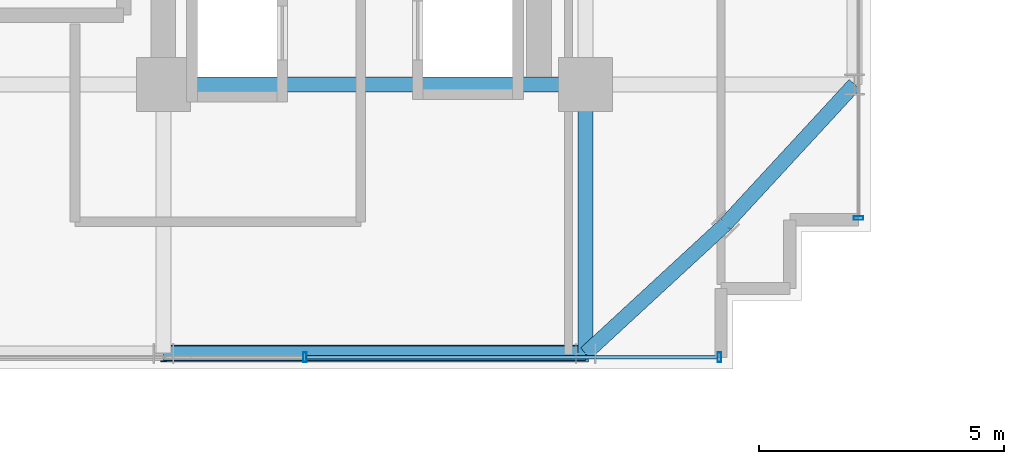
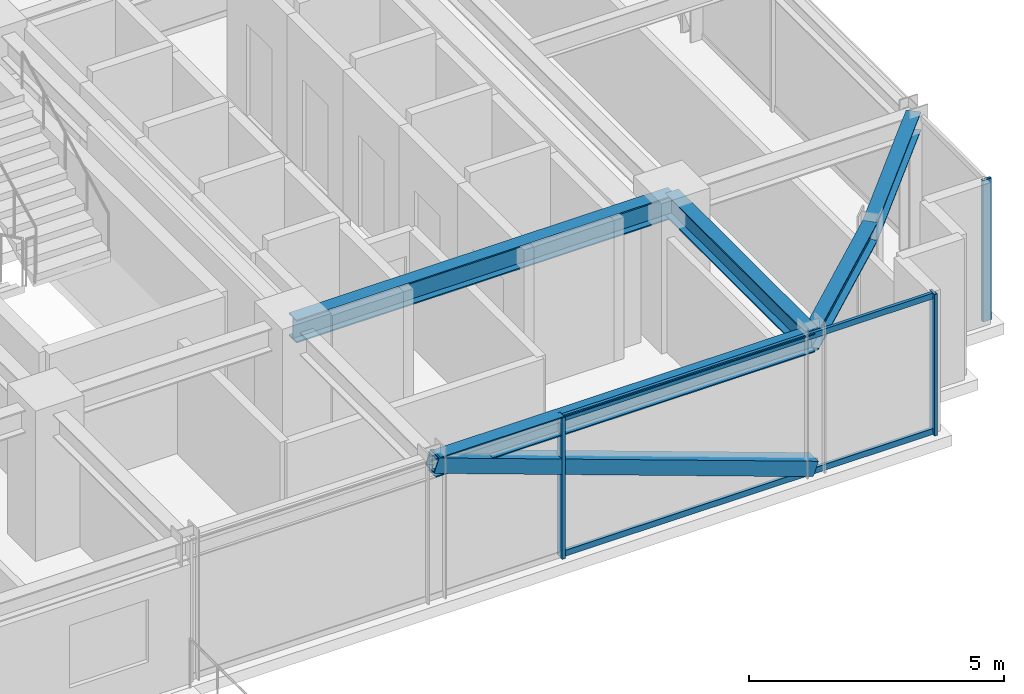
# One storey, part 13 of 38: 6 members, 5 beams, 2 elements without a shape of their own.
"""IFC4 building model written with IfcOpenShell, lengths in metres."""

from ifc_helpers import new_model, si_unit, direction, frame, origin, origin_2d, place, context, subcontext, project, spatial, hollow_rectangle, i_section, extrude, source, transform, mapped, material, material_profile, profile_set, type_object, element, aggregate, save


model = new_model("IFC4")

# Units and contexts
model_context = context("Model", 3, precision=1e-05, world=origin(), true_north=direction((0.0, 1.0)))
body_context = subcontext(model_context, "Body", "Model", "MODEL_VIEW")
ifc_project = project(units=[si_unit("LENGTHUNIT", "METRE"), si_unit("AREAUNIT", "SQUARE_METRE"), si_unit("VOLUMEUNIT", "CUBIC_METRE"), si_unit("PLANEANGLEUNIT", "RADIAN"), si_unit("MASSUNIT", "GRAM", prefix="KILO")], contexts=[model_context])

# Site, building, storey
site_placement = place(None, origin())
site = spatial("IfcSite", under=ifc_project, at=site_placement, CompositionType="ELEMENT")
building_placement = place(site_placement, origin())
building = spatial("IfcBuilding", under=site, at=building_placement, Name="Nahalor Promenade Grand Hotel", CompositionType="ELEMENT")
storey_placement = place(building_placement, frame((0.0, 0.0, 163.60009765625)))
storey = spatial("IfcBuildingStorey", under=building, at=storey_placement, Name="L41", CompositionType="ELEMENT", Elevation=163.60009765625)

# Beams
ifc_material_1 = material(Name="Steel S355JR", Category="steel")
ifc_material_profile_1 = material_profile(ifc_material_1, i_section(OverallWidth=0.3, OverallDepth=0.55, WebThickness=0.015, FlangeThickness=0.029, at=origin_2d()), Name="HEB 550")
ifc_profile_set_1 = profile_set([ifc_material_profile_1], Name="Steel S355JR")
beam_type_1 = type_object("IfcBeamType", Name="Beam-Girder-HEB550", PredefinedType="BEAM", material=ifc_profile_set_1)
shared_shape_1 = source(origin(), body_context, "Body", "SweptSolid", [
    extrude(i_section(OverallWidth=0.3, OverallDepth=0.55, WebThickness=0.015, FlangeThickness=0.029, at=origin_2d()), origin(), (0.0, 0.0, 1.0), 8.60009765625),
])
beam_1_placement = place(storey_placement, frame((8.39990234375, -17.0, 3.114990234375), z_axis=(1.0, 0.0, 0.0), x_axis=(0.0, 1.0, 0.0)))
element("IfcBeam", 1, at=beam_1_placement, inside=storey, type_object=beam_type_1, Name="BM-L41-GX-0-5", PredefinedType="BEAM", context=body_context, shape_type="MappedRepresentation", body=[
    mapped(shared_shape_1, transform((0.0, 0.0, 0.0), scale=1.0)),
])
shared_shape_2 = source(origin(), body_context, "Body", "SweptSolid", [
    extrude(i_section(OverallWidth=0.3, OverallDepth=0.55, WebThickness=0.015, FlangeThickness=0.029, at=origin_2d()), origin(), (0.0, 0.0, 1.0), 5.47998046875),
])
beam_2_placement = place(storey_placement, frame((17.0, -22.47998046875, 3.114990234375), z_axis=(0.0, 1.0, 0.0), x_axis=(-1.0, 0.0, 0.0)))
element("IfcBeam", 2, at=beam_2_placement, inside=storey, type_object=beam_type_1, Name="BM-L41-GY-5-0", PredefinedType="BEAM", context=body_context, shape_type="MappedRepresentation", body=[
    mapped(shared_shape_2, transform((0.0, 0.0, 0.0), scale=1.0)),
])
ifc_material_profile_2 = material_profile(ifc_material_1, i_section(OverallWidth=0.3, OverallDepth=0.45, WebThickness=0.014, FlangeThickness=0.026, at=origin_2d()), Name="HEB 450")
ifc_profile_set_2 = profile_set([ifc_material_profile_2], Name="Steel S355JR")
beam_type_2 = type_object("IfcBeamType", Name="Beam-Spandrel-HEB450", PredefinedType="SPANDREL", material=ifc_profile_set_2)
shared_shape_3 = source(origin(), body_context, "Body", "SweptSolid", [
    extrude(i_section(OverallWidth=0.3, OverallDepth=0.45, WebThickness=0.014, FlangeThickness=0.026, at=origin_2d()), origin(), (0.0, 0.0, 1.0), 8.60009765625),
])
beam_3_placement = place(storey_placement, frame((8.39990234375, -22.47998046875, 3.164794921875), z_axis=(1.0, 0.0, 0.0), x_axis=(0.0, 1.0, 0.0)))
element("IfcBeam", 3, at=beam_3_placement, inside=storey, type_object=beam_type_2, Name="BM-L41-SP-S-4", PredefinedType="SPANDREL", context=body_context, shape_type="MappedRepresentation", body=[
    mapped(shared_shape_3, transform((0.0, 0.0, 0.0), scale=1.0)),
])
shared_shape_4 = source(origin(), body_context, "Body", "SweptSolid", [
    extrude(i_section(OverallWidth=0.3, OverallDepth=0.45, WebThickness=0.014, FlangeThickness=0.026, at=origin_2d()), origin(), (0.0, 0.0, 1.0), 3.878173828125),
])
for number, where, z_axis, x_axis, name in (
    (4, (17.0, -22.47998046875, 3.164794921875), (0.73492893846, 0.678144125843, 0.0), (-0.678144125843, 0.73492893846, 0.0), "BM-L41-SPC-SE-1"),
    (5, (19.85009765625, -19.85009765625, 3.164794921875), (0.678144125843, 0.73492893846, 0.0), (-0.73492893846, 0.678144125843, 0.0), "BM-L41-SPC-SE-2"),
):
    element("IfcBeam", number, at=place(storey_placement, frame(where, z_axis=z_axis, x_axis=x_axis)), inside=storey, type_object=beam_type_2, Name=name, PredefinedType="SPANDREL", context=body_context, shape_type="MappedRepresentation", body=[
        mapped(shared_shape_4, transform((0.0, 0.0, 0.0), scale=1.0)),
    ])

# Member
ifc_material_profile_3 = material_profile(ifc_material_1, hollow_rectangle(XDim=0.35, YDim=0.35, WallThickness=0.02, at=origin_2d()), Name="SHS 350x350x20")
ifc_profile_set_3 = profile_set([ifc_material_profile_3], Name="Steel S355JR")
member_type_1 = type_object("IfcMemberType", Name="Mem-VoidBrace-SHS350", PredefinedType="BRACE", material=ifc_profile_set_3)
shared_shape_5 = source(origin(), body_context, "Body", "SweptSolid", [
    extrude(hollow_rectangle(XDim=0.35, YDim=0.35, WallThickness=0.02, at=origin_2d()), origin(), (0.0, 0.0, 1.0), 9.138427734375),
])
member_1_placement = place(storey_placement, frame((17.0, -22.47998046875, 0.14990234375), z_axis=(-0.941094643271, 0.0, 0.338143272012), x_axis=(0.0, -1.0, 0.0)))
element("IfcMember", 6, at=member_1_placement, inside=storey, type_object=member_type_1, Name="EXO-L41-S-1", PredefinedType="BRACE", context=body_context, shape_type="MappedRepresentation", body=[
    mapped(shared_shape_5, transform((0.0, 0.0, 0.0), scale=1.0)),
])

# Curtain wall, members
ifc_material_2 = material(Name="Anodised Bronze Aluminium EN AW-6063 T6", Category="aluminium")
curtain_wall_type = type_object("IfcCurtainWallType", Name="CW3 Elliptical-Void Collar Unitised Curtain Wall", PredefinedType="USERDEFINED", material=ifc_material_2)
curtain_wall_1_placement = place(storey_placement, origin())
curtain_wall_1 = element("IfcCurtainWall", 7, at=curtain_wall_1_placement, inside=storey, type_object=curtain_wall_type, Name="L41 Curtain Wall CW-L41-S-3", ObjectType="UNITISED_CURTAIN_WALL", PredefinedType="USERDEFINED")
ifc_material_profile_4 = material_profile(ifc_material_2, hollow_rectangle(XDim=0.07, YDim=0.14, WallThickness=0.004, at=origin_2d()), Name="CWT 70x140x4")
ifc_profile_set_4 = profile_set([ifc_material_profile_4], Name="Anodised Bronze Aluminium EN AW-6063 T6")
member_type_2 = type_object("IfcMemberType", Name="CWT3 Void Collar Transom 70x140", PredefinedType="USERDEFINED", material=ifc_profile_set_4)
shared_shape_6 = source(origin(), body_context, "Body", "SweptSolid", [
    extrude(hollow_rectangle(XDim=0.07, YDim=0.14, WallThickness=0.004, at=origin_2d()), origin(), (0.0, 0.0, 1.0), 8.375),
])
member_2_placement = place(storey_placement, frame((11.31494140625, -22.56005859375, 0.06982421875), z_axis=(1.0, 0.0, 0.0), x_axis=(0.0, 1.0, 0.0)))
member_2 = element("IfcMember", 8, at=member_2_placement, type_object=member_type_2, Name="CW-L41-S-3 Transom 1-0", ObjectType="TRANSOM", PredefinedType="USERDEFINED", context=body_context, shape_type="MappedRepresentation", body=[
    mapped(shared_shape_6, transform((0.0, 0.0, 0.0), scale=1.0)),
])
member_3_placement = place(storey_placement, frame((11.31494140625, -22.56005859375, 3.31982421875), z_axis=(1.0, 0.0, 0.0), x_axis=(0.0, 1.0, 0.0)))
member_3 = element("IfcMember", 9, at=member_3_placement, type_object=member_type_2, Name="CW-L41-S-3 Transom 1-1", ObjectType="TRANSOM", PredefinedType="USERDEFINED", context=body_context, shape_type="MappedRepresentation", body=[
    mapped(shared_shape_6, transform((0.0, 0.0, 0.0), scale=1.0)),
])
ifc_material_profile_5 = material_profile(ifc_material_2, hollow_rectangle(XDim=0.07, YDim=0.2, WallThickness=0.005, at=origin_2d()), Name="CWM 70x200x5")
ifc_profile_set_5 = profile_set([ifc_material_profile_5], Name="Anodised Bronze Aluminium EN AW-6063 T6")
member_type_3 = type_object("IfcMemberType", Name="CWM3 Void Collar Mullion 70x200", PredefinedType="MULLION", material=ifc_profile_set_5)
shared_shape_7 = source(origin(), body_context, "Body", "SweptSolid", [
    extrude(hollow_rectangle(XDim=0.07, YDim=0.2, WallThickness=0.005, at=origin_2d()), origin(), (0.0, 0.0, 1.0), 3.389892578125),
])
member_4_placement = place(storey_placement, frame((11.280029296875, -22.56005859375, 0.0), z_axis=(0.0, 0.0, 1.0), x_axis=(1.0, 0.0, 0.0)))
member_4 = element("IfcMember", 10, at=member_4_placement, type_object=member_type_3, Name="CW-L41-S-3 Mullion 1", PredefinedType="MULLION", context=body_context, shape_type="MappedRepresentation", body=[
    mapped(shared_shape_7, transform((0.0, 0.0, 0.0), scale=1.0)),
])
member_5_placement = place(storey_placement, frame((19.72509765625, -22.56005859375, 0.0), z_axis=(0.0, 0.0, 1.0), x_axis=(1.0, 0.0, 0.0)))
member_5 = element("IfcMember", 11, at=member_5_placement, type_object=member_type_3, Name="CW-L41-S-3 Mullion 2", PredefinedType="MULLION", context=body_context, shape_type="MappedRepresentation", body=[
    mapped(shared_shape_7, transform((0.0, 0.0, 0.0), scale=1.0)),
])
aggregate(curtain_wall_1, [member_4, member_5, member_2, member_3])

# Curtain wall, member
curtain_wall_2_placement = place(storey_placement, origin())
curtain_wall_2 = element("IfcCurtainWall", 12, at=curtain_wall_2_placement, inside=storey, type_object=curtain_wall_type, Name="L41 Curtain Wall CW-L41-E-1", ObjectType="UNITISED_CURTAIN_WALL", PredefinedType="USERDEFINED")
member_6_placement = place(storey_placement, frame((22.56005859375, -19.72509765625, 0.0), z_axis=(0.0, 0.0, 1.0), x_axis=(0.0, 1.0, 0.0)))
member_6 = element("IfcMember", 13, at=member_6_placement, type_object=member_type_3, Name="CW-L41-E-1 Mullion 0", PredefinedType="MULLION", context=body_context, shape_type="MappedRepresentation", body=[
    mapped(shared_shape_7, transform((0.0, 0.0, 0.0), scale=1.0)),
])
aggregate(curtain_wall_2, [member_6])

save(model, "model.ifc")
